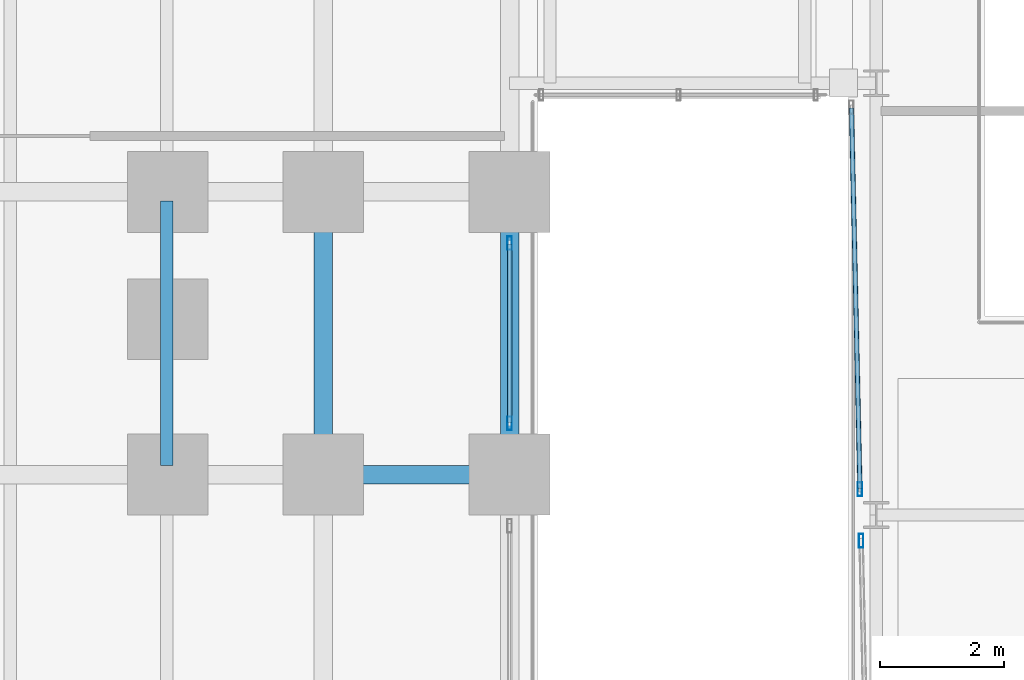
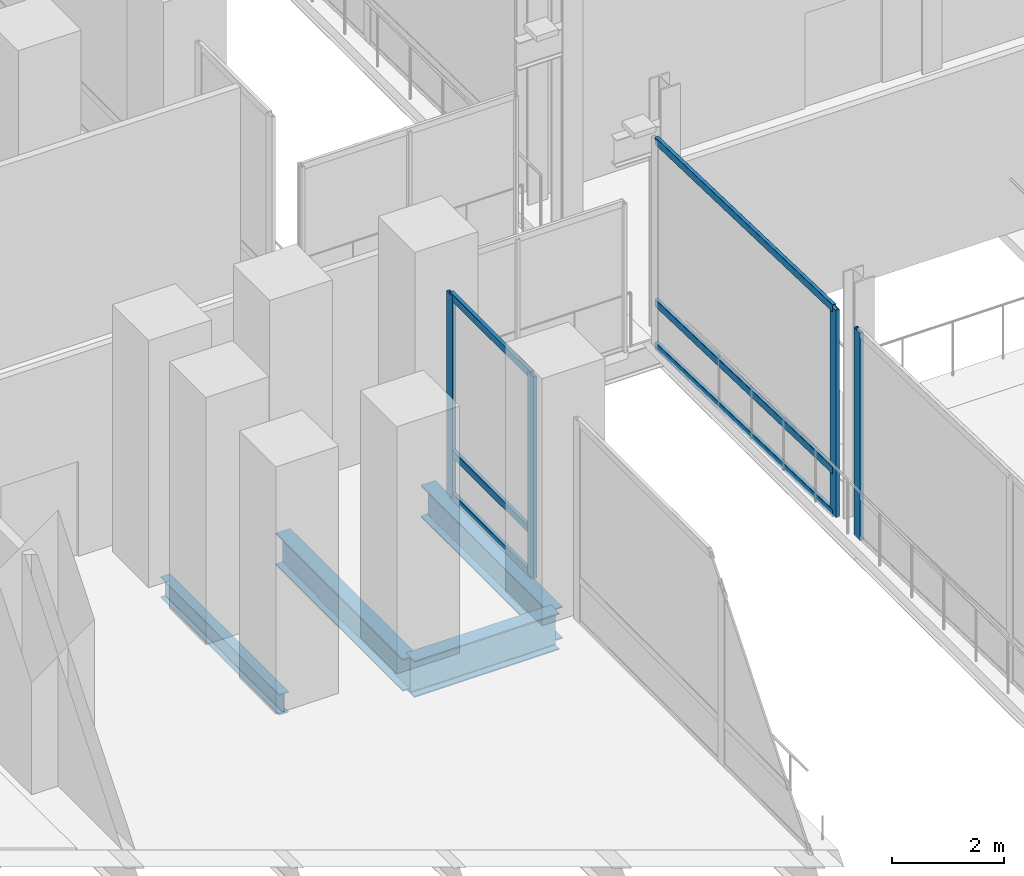
# One storey, part 12 of 31: 10 members, 4 beams, 3 elements without a shape of their own.
"""IFC4 building model written with IfcOpenShell, lengths in metres."""

from ifc_helpers import new_model, si_unit, direction, frame, origin, origin_2d, place, context, subcontext, project, spatial, hollow_rectangle, i_section, extrude, material, material_profile, profile_set, type_object, element, aggregate, save


model = new_model("IFC4")

# Units and contexts
model_context = context("Model", 3, precision=1e-05, world=origin(), true_north=direction((0.0, 1.0)))
body_context = subcontext(model_context, "Body", "Model", "MODEL_VIEW")
ifc_project = project(units=[si_unit("LENGTHUNIT", "METRE"), si_unit("AREAUNIT", "SQUARE_METRE"), si_unit("VOLUMEUNIT", "CUBIC_METRE"), si_unit("PLANEANGLEUNIT", "RADIAN"), si_unit("MASSUNIT", "GRAM", prefix="KILO")], contexts=[model_context])

# Site, building, storey
site_placement = place(None, origin())
site = spatial("IfcSite", under=ifc_project, at=site_placement, CompositionType="ELEMENT")
building_placement = place(site_placement, origin())
building = spatial("IfcBuilding", under=site, at=building_placement, Name="Noeulbin Bourse Tower", CompositionType="ELEMENT")
storey_placement = place(building_placement, frame((0.0, 0.0, 11.199951171875)))
storey = spatial("IfcBuildingStorey", under=building, at=storey_placement, Name="L03", CompositionType="ELEMENT", Elevation=11.199951171875)

# Beams
ifc_material_1 = material(Name="Steel S355", Category="steel")
ifc_material_profile_1 = material_profile(ifc_material_1, i_section(OverallWidth=0.300048828125, OverallDepth=0.699951171875, WebThickness=0.012939453125, FlangeThickness=0.02392578125, FilletRadius=0.02392578125, at=origin_2d()), Name="H-700x300x13x24", Category="LoadBearing")
ifc_profile_set_1 = profile_set([ifc_material_profile_1], Name="Steel S355")
beam_type_1 = type_object("IfcBeamType", Name="BM-GRD-700", PredefinedType="USERDEFINED", material=ifc_profile_set_1)
for number, where, z_axis, x_axis, name in (
    (1, (51.550048828125, 15.449951171875, -0.599853515625), (0.0, 1.0, 0.0), (-1.0, 0.0, 0.0), "Podium Primary Girder NS L03-097"),
    (2, (54.550048828125, 15.449951171875, -0.599853515625), (0.0, 1.0, 0.0), (-1.0, 0.0, 0.0), "Podium Primary Girder NS L03-103"),
):
    element("IfcBeam", number, at=place(storey_placement, frame(where, z_axis=z_axis, x_axis=x_axis)), inside=storey, type_object=beam_type_1, Name=name, ObjectType="GIRDER", PredefinedType="USERDEFINED", context=body_context, shape_type="SweptSolid", body=[
        extrude(i_section(OverallWidth=0.300048828125, OverallDepth=0.699951171875, WebThickness=0.012939453125, FlangeThickness=0.02392578125, FilletRadius=0.02392578125, at=origin_2d()), origin(), (0.0, 0.0, 1.0), 4.550048828125),
    ])
ifc_material_profile_2 = material_profile(ifc_material_1, i_section(OverallWidth=0.300048828125, OverallDepth=0.800048828125, WebThickness=0.013916015625, FlangeThickness=0.02587890625, FilletRadius=0.02587890625, at=origin_2d()), Name="H-800x300x14x26", Category="LoadBearing")
ifc_profile_set_2 = profile_set([ifc_material_profile_2], Name="Steel S355")
beam_type_2 = type_object("IfcBeamType", Name="BM-GRD-800", PredefinedType="USERDEFINED", material=ifc_profile_set_2)
beam_1_placement = place(storey_placement, frame((51.550048828125, 15.449951171875, -0.64990234375), z_axis=(1.0, 0.0, 0.0), x_axis=(0.0, 1.0, 0.0)))
element("IfcBeam", 3, at=beam_1_placement, inside=storey, type_object=beam_type_2, Name="Podium Primary Girder EW L03-016", ObjectType="GIRDER", PredefinedType="USERDEFINED", context=body_context, shape_type="SweptSolid", body=[
    extrude(i_section(OverallWidth=0.300048828125, OverallDepth=0.800048828125, WebThickness=0.013916015625, FlangeThickness=0.02587890625, FilletRadius=0.02587890625, at=origin_2d()), origin(), (0.0, 0.0, 1.0), 3.0),
])
ifc_material_profile_3 = material_profile(ifc_material_1, i_section(OverallWidth=0.199951171875, OverallDepth=0.449951171875, WebThickness=0.009033203125, FlangeThickness=0.013916015625, FilletRadius=0.01806640625, at=origin_2d()), Name="H-450x200x9x14", Category="LoadBearing")
ifc_profile_set_3 = profile_set([ifc_material_profile_3], Name="Steel S355")
beam_type_3 = type_object("IfcBeamType", Name="BM-SEC-450", PredefinedType="BEAM", material=ifc_profile_set_3)
beam_2_placement = place(storey_placement, frame((49.033203125, 15.60009765625, -0.474853515625), z_axis=(0.0, 1.0, 0.0), x_axis=(-1.0, 0.0, 0.0)))
element("IfcBeam", 4, at=beam_2_placement, inside=storey, type_object=beam_type_3, Name="Podium Secondary Beam L03-080", PredefinedType="BEAM", context=body_context, shape_type="SweptSolid", body=[
    extrude(i_section(OverallWidth=0.199951171875, OverallDepth=0.449951171875, WebThickness=0.009033203125, FlangeThickness=0.013916015625, FilletRadius=0.01806640625, at=origin_2d()), origin(), (0.0, 0.0, 1.0), 4.25),
])

# Curtain wall, members
ifc_material_2 = material(Name="Laminated Clear Low-E Glass", Category="glass")
curtain_wall_type = type_object("IfcCurtainWallType", Name="CW-SYS-1", PredefinedType="NOTDEFINED", material=ifc_material_2)
curtain_wall_1_placement = place(storey_placement, origin())
curtain_wall_1 = element("IfcCurtainWall", 5, at=curtain_wall_1_placement, inside=storey, type_object=curtain_wall_type, Name="Unitised Curtain Wall CW-L03-POD-E1-S2", PredefinedType="NOTDEFINED")
ifc_material_3 = material(Name="Anodised Aluminium 6063-T6", Category="aluminium")
ifc_material_profile_4 = material_profile(ifc_material_3, hollow_rectangle(XDim=0.074951171875, YDim=0.219970703125, WallThickness=0.0048828125, InnerFilletRadius=0.00244140625, OuterFilletRadius=0.0048828125, at=origin_2d()), Name="ALU-MULL-75x220x5", Category="LoadBearing")
ifc_profile_set_4 = profile_set([ifc_material_profile_4], Name="Anodised Aluminium 6063-T6")
member_type_1 = type_object("IfcMemberType", Name="CW-SYS-1-MUL", PredefinedType="MULLION", material=ifc_profile_set_4)
member_1_placement = place(storey_placement, frame((54.550048828125, 16.27490234375, -0.02001953125), z_axis=(0.0, 0.0, 1.0), x_axis=(1.0, 0.0, 0.0)))
member_1 = element("IfcMember", 6, at=member_1_placement, type_object=member_type_1, Name="Curtain Wall Mullion CW-L03-POD-E1-S2-M00", PredefinedType="MULLION", context=body_context, shape_type="SweptSolid", body=[
    extrude(hollow_rectangle(XDim=0.074951171875, YDim=0.219970703125, WallThickness=0.0048828125, InnerFilletRadius=0.00244140625, OuterFilletRadius=0.0048828125, at=origin_2d()), origin(), (0.0, 0.0, 1.0), 4.41015625),
])
member_2_placement = place(storey_placement, frame((54.550048828125, 19.175048828125, -0.02001953125), z_axis=(0.0, 0.0, 1.0), x_axis=(1.0, 0.0, 0.0)))
member_2 = element("IfcMember", 7, at=member_2_placement, type_object=member_type_1, Name="Curtain Wall Mullion CW-L03-POD-E1-S2-M01", PredefinedType="MULLION", context=body_context, shape_type="SweptSolid", body=[
    extrude(hollow_rectangle(XDim=0.074951171875, YDim=0.219970703125, WallThickness=0.0048828125, InnerFilletRadius=0.00244140625, OuterFilletRadius=0.0048828125, at=origin_2d()), origin(), (0.0, 0.0, 1.0), 4.41015625),
])

# Curtain wall, member
curtain_wall_2_placement = place(storey_placement, origin())
curtain_wall_2 = element("IfcCurtainWall", 8, at=curtain_wall_2_placement, inside=storey, type_object=curtain_wall_type, Name="Unitised Curtain Wall CW-L03-MKT-W1-S1", PredefinedType="NOTDEFINED")
member_3_placement = place(storey_placement, frame((60.206298828125, 14.385986328125, -0.02001953125), z_axis=(0.0, 0.0, 1.0), x_axis=(1.0, 0.0, 0.0)))
member_3 = element("IfcMember", 9, at=member_3_placement, type_object=member_type_1, Name="Curtain Wall Mullion CW-L03-MKT-W1-S1-M02", PredefinedType="MULLION", context=body_context, shape_type="SweptSolid", body=[
    extrude(hollow_rectangle(XDim=0.074951171875, YDim=0.219970703125, WallThickness=0.0048828125, InnerFilletRadius=0.00244140625, OuterFilletRadius=0.0048828125, at=origin_2d()), origin(), (0.0, 0.0, 1.0), 4.5400390625),
])
aggregate(curtain_wall_2, [member_3])

curtain_wall_3_placement = place(storey_placement, origin())
curtain_wall_3 = element("IfcCurtainWall", 10, at=curtain_wall_3_placement, inside=storey, type_object=curtain_wall_type, Name="Unitised Curtain Wall CW-L03-MKT-W1-S2", PredefinedType="NOTDEFINED")
member_4_placement = place(storey_placement, frame((60.187744140625, 15.214111328125, -0.02001953125), z_axis=(0.0, 0.0, 1.0), x_axis=(1.0, 0.0, 0.0)))
member_4 = element("IfcMember", 11, at=member_4_placement, type_object=member_type_1, Name="Curtain Wall Mullion CW-L03-MKT-W1-S2-M00", PredefinedType="MULLION", context=body_context, shape_type="SweptSolid", body=[
    extrude(hollow_rectangle(XDim=0.074951171875, YDim=0.219970703125, WallThickness=0.0048828125, InnerFilletRadius=0.00244140625, OuterFilletRadius=0.0048828125, at=origin_2d()), origin(), (0.0, 0.0, 1.0), 4.5400390625),
])

# Member
ifc_material_profile_5 = material_profile(ifc_material_3, hollow_rectangle(XDim=0.074951171875, YDim=0.159912109375, WallThickness=0.0048828125, InnerFilletRadius=0.00244140625, OuterFilletRadius=0.0048828125, at=origin_2d()), Name="ALU-TRAN-75x160x5", Category="LoadBearing")
ifc_profile_set_5 = profile_set([ifc_material_profile_5], Name="Anodised Aluminium 6063-T6")
member_type_2 = type_object("IfcMemberType", Name="CW-SYS-1-TRN", PredefinedType="USERDEFINED", material=ifc_profile_set_5)
member_5_placement = place(storey_placement, frame((54.550048828125, 16.284912109375, 0.010009765625), z_axis=(0.0, 1.0, 0.0), x_axis=(-1.0, 0.0, 0.0)))
member_5 = element("IfcMember", 12, at=member_5_placement, type_object=member_type_2, Name="Curtain Wall Transom CW-L03-POD-E1-S2-T00", ObjectType="TRANSOM", PredefinedType="USERDEFINED", context=body_context, shape_type="SweptSolid", body=[
    extrude(hollow_rectangle(XDim=0.074951171875, YDim=0.159912109375, WallThickness=0.0048828125, InnerFilletRadius=0.00244140625, OuterFilletRadius=0.0048828125, at=origin_2d()), origin(), (0.0, 0.0, 1.0), 2.880126953125),
])

member_6_placement = place(storey_placement, frame((54.550048828125, 16.284912109375, 0.949951171875), z_axis=(0.0, 1.0, 0.0), x_axis=(-1.0, 0.0, 0.0)))
member_6 = element("IfcMember", 13, at=member_6_placement, type_object=member_type_2, Name="Curtain Wall Transom CW-L03-POD-E1-S2-T01", ObjectType="TRANSOM", PredefinedType="USERDEFINED", context=body_context, shape_type="SweptSolid", body=[
    extrude(hollow_rectangle(XDim=0.074951171875, YDim=0.159912109375, WallThickness=0.0048828125, InnerFilletRadius=0.00244140625, OuterFilletRadius=0.0048828125, at=origin_2d()), origin(), (0.0, 0.0, 1.0), 2.880126953125),
])

member_7_placement = place(storey_placement, frame((54.550048828125, 16.284912109375, 4.360107421875), z_axis=(0.0, 1.0, 0.0), x_axis=(-1.0, 0.0, 0.0)))
member_7 = element("IfcMember", 14, at=member_7_placement, type_object=member_type_2, Name="Curtain Wall Transom CW-L03-POD-E1-S2-T02", ObjectType="TRANSOM", PredefinedType="USERDEFINED", context=body_context, shape_type="SweptSolid", body=[
    extrude(hollow_rectangle(XDim=0.074951171875, YDim=0.159912109375, WallThickness=0.0048828125, InnerFilletRadius=0.00244140625, OuterFilletRadius=0.0048828125, at=origin_2d()), origin(), (0.0, 0.0, 1.0), 2.880126953125),
])

aggregate(curtain_wall_1, [member_1, member_2, member_5, member_6, member_7])

member_8_placement = place(storey_placement, frame((60.1875, 15.22412109375, 0.010009765625), z_axis=(-0.022272490553, 0.999751937315, 0.0), x_axis=(-0.999751937315, -0.022272490553, 0.0)))
member_8 = element("IfcMember", 15, at=member_8_placement, type_object=member_type_2, Name="Curtain Wall Transom CW-L03-MKT-W1-S2-T00", ObjectType="TRANSOM", PredefinedType="USERDEFINED", context=body_context, shape_type="SweptSolid", body=[
    extrude(hollow_rectangle(XDim=0.074951171875, YDim=0.159912109375, WallThickness=0.0048828125, InnerFilletRadius=0.00244140625, OuterFilletRadius=0.0048828125, at=origin_2d()), origin(), (0.0, 0.0, 1.0), 6.12744140625),
])

member_9_placement = place(storey_placement, frame((60.1875, 15.22412109375, 0.949951171875), z_axis=(-0.022272490553, 0.999751937315, 0.0), x_axis=(-0.999751937315, -0.022272490553, 0.0)))
member_9 = element("IfcMember", 16, at=member_9_placement, type_object=member_type_2, Name="Curtain Wall Transom CW-L03-MKT-W1-S2-T01", ObjectType="TRANSOM", PredefinedType="USERDEFINED", context=body_context, shape_type="SweptSolid", body=[
    extrude(hollow_rectangle(XDim=0.074951171875, YDim=0.159912109375, WallThickness=0.0048828125, InnerFilletRadius=0.00244140625, OuterFilletRadius=0.0048828125, at=origin_2d()), origin(), (0.0, 0.0, 1.0), 6.12744140625),
])

member_10_placement = place(storey_placement, frame((60.1875, 15.22412109375, 4.489990234375), z_axis=(-0.022272490553, 0.999751937315, 0.0), x_axis=(-0.999751937315, -0.022272490553, 0.0)))
member_10 = element("IfcMember", 17, at=member_10_placement, type_object=member_type_2, Name="Curtain Wall Transom CW-L03-MKT-W1-S2-T02", ObjectType="TRANSOM", PredefinedType="USERDEFINED", context=body_context, shape_type="SweptSolid", body=[
    extrude(hollow_rectangle(XDim=0.074951171875, YDim=0.159912109375, WallThickness=0.0048828125, InnerFilletRadius=0.00244140625, OuterFilletRadius=0.0048828125, at=origin_2d()), origin(), (0.0, 0.0, 1.0), 6.12744140625),
])

aggregate(curtain_wall_3, [member_4, member_8, member_9, member_10])

save(model, "model.ifc")
